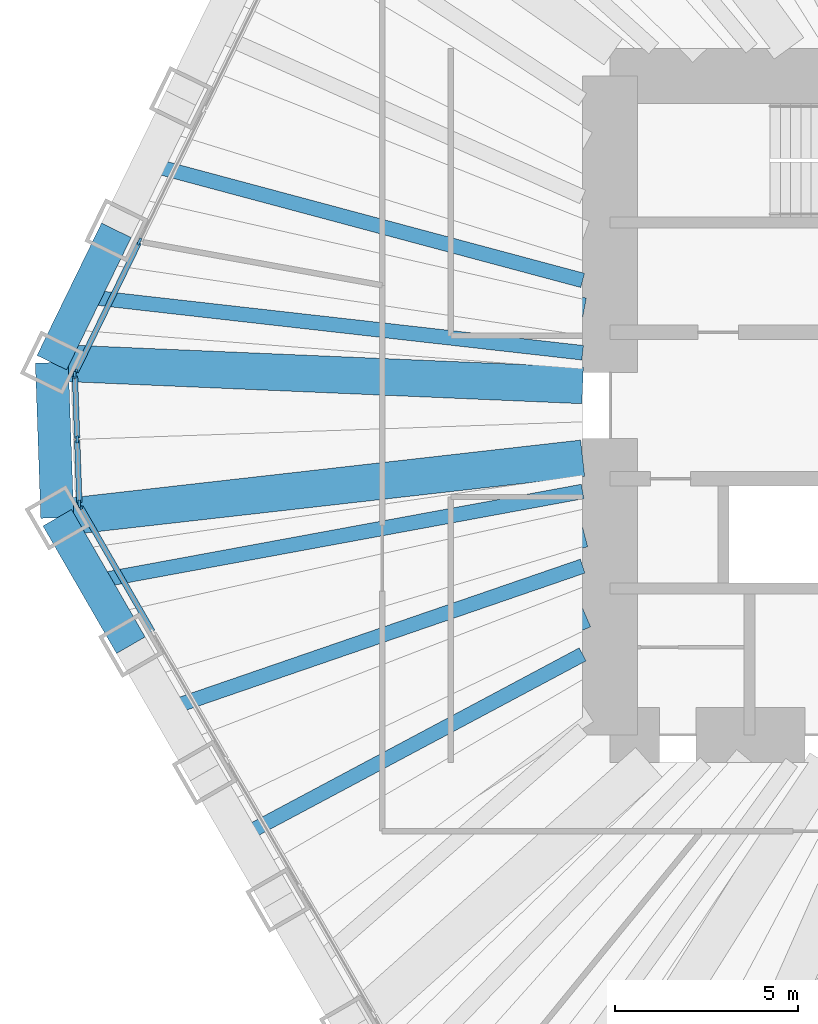
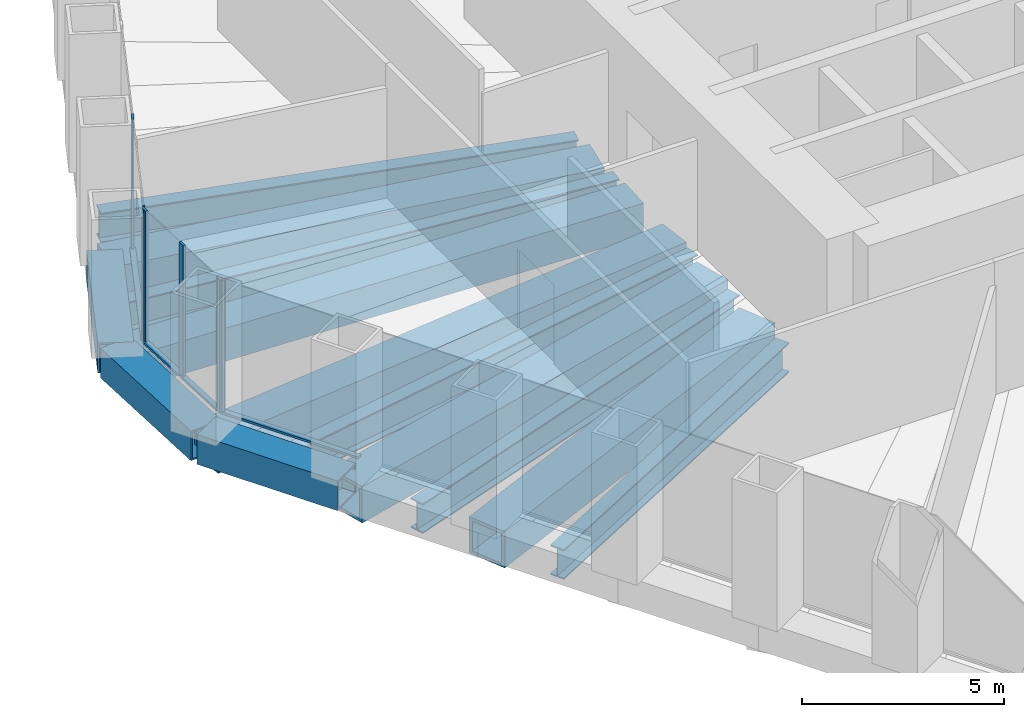
# One storey, part 3 of 12: 13 beams, 10 members, 3 elements without a shape of their own.
"""IFC4 building model written with IfcOpenShell, lengths in metres."""

from ifc_helpers import new_model, si_unit, direction, frame, origin, origin_2d, place, context, subcontext, project, spatial, rectangle, hollow_rectangle, i_section, extrude, material, material_profile, profile_set, type_object, element, aggregate, save


model = new_model("IFC4")

# Units and contexts
model_context = context("Model", 3, precision=1e-05, world=origin(), true_north=direction((0.0, 1.0)))
body_context = subcontext(model_context, "Body", "Model", "MODEL_VIEW")
ifc_project = project(units=[si_unit("LENGTHUNIT", "METRE"), si_unit("AREAUNIT", "SQUARE_METRE"), si_unit("VOLUMEUNIT", "CUBIC_METRE"), si_unit("PLANEANGLEUNIT", "RADIAN"), si_unit("MASSUNIT", "GRAM", prefix="KILO")], contexts=[model_context])

# Site, building, storey
site_placement = place(None, origin())
site = spatial("IfcSite", under=ifc_project, at=site_placement, CompositionType="ELEMENT")
building_placement = place(site_placement, origin())
building = spatial("IfcBuilding", under=site, at=building_placement, Name="Qingtian Harvest Tower", CompositionType="ELEMENT")
storey_placement = place(building_placement, frame((0.0, 0.0, 107.199951171875)))
storey = spatial("IfcBuildingStorey", under=building, at=storey_placement, Name="L21", CompositionType="ELEMENT", Elevation=107.199951171875)

# Beams
ifc_material_1 = material(Name="Steel SN490B", Category="steel")
ifc_material_profile_1 = material_profile(ifc_material_1, i_section(OverallWidth=0.39990234375, OverallDepth=0.89990234375, WebThickness=0.01904296875, FlangeThickness=0.035888671875, at=origin_2d()), Name="H900x400x19x36")
ifc_profile_set_1 = profile_set([ifc_material_profile_1], Name="Steel SN490B")
beam_type_1 = type_object("IfcBeamType", Name="Floor joist J4 H900x400x19x36", PredefinedType="JOIST", material=ifc_profile_set_1)
beam_1_placement = place(storey_placement, frame((-22.0732421875, -11.76806640625, -0.619873046875), z_axis=(0.882429048443, 0.47044550637, 0.0), x_axis=(-0.47044550637, 0.882429048443, 0.0)))
element("IfcBeam", 1, at=beam_1_placement, inside=storey, type_object=beam_type_1, Name="Floor joist J4 SW3", PredefinedType="JOIST", context=body_context, shape_type="SweptSolid", body=[
    extrude(i_section(OverallWidth=0.39990234375, OverallDepth=0.89990234375, WebThickness=0.01904296875, FlangeThickness=0.035888671875, at=origin_2d()), origin(), (0.0, 0.0, 1.0), 10.5654296875),
])
beam_2_placement = place(storey_placement, frame((-24.082763671875, -8.28759765625, -0.619873046875), z_axis=(0.945577150072, 0.325397992099, 0.0), x_axis=(-0.325397992099, 0.945577150072, 0.0)))
element("IfcBeam", 2, at=beam_2_placement, inside=storey, type_object=beam_type_1, Name="Floor joist J4 SW4", PredefinedType="JOIST", context=body_context, shape_type="SweptSolid", body=[
    extrude(i_section(OverallWidth=0.39990234375, OverallDepth=0.89990234375, WebThickness=0.01904296875, FlangeThickness=0.035888671875, at=origin_2d()), origin(), (0.0, 0.0, 1.0), 11.985107421875),
])
beam_3_placement = place(storey_placement, frame((-26.09228515625, -4.806884765625, -0.619873046875), z_axis=(0.983450319804, 0.181178002192, 0.0), x_axis=(-0.181178002192, 0.983450319804, 0.0)))
element("IfcBeam", 3, at=beam_3_placement, inside=storey, type_object=beam_type_1, Name="Floor joist J4 SW5", PredefinedType="JOIST", context=body_context, shape_type="SweptSolid", body=[
    extrude(i_section(OverallWidth=0.39990234375, OverallDepth=0.89990234375, WebThickness=0.01904296875, FlangeThickness=0.035888671875, at=origin_2d()), origin(), (0.0, 0.0, 1.0), 13.56689453125),
])
beam_4_placement = place(storey_placement, frame((-26.364013671875, 2.97509765625, -0.619873046875), z_axis=(0.993692330348, -0.112140771387, 0.0), x_axis=(0.112140771387, 0.993692330348, 0.0)))
element("IfcBeam", 4, at=beam_4_placement, inside=storey, type_object=beam_type_1, Name="Floor joist J4 NW0", PredefinedType="JOIST", context=body_context, shape_type="SweptSolid", body=[
    extrude(i_section(OverallWidth=0.39990234375, OverallDepth=0.89990234375, WebThickness=0.01904296875, FlangeThickness=0.035888671875, at=origin_2d()), origin(), (0.0, 0.0, 1.0), 13.700439453125),
])
beam_5_placement = place(storey_placement, frame((-24.60205078125, 6.58740234375, -0.619873046875), z_axis=(0.965969893862, -0.258654526641, 0.0), x_axis=(0.258654526641, 0.965969893862, 0.0)))
element("IfcBeam", 5, at=beam_5_placement, inside=storey, type_object=beam_type_1, Name="Floor joist J4 NW1", PredefinedType="JOIST", context=body_context, shape_type="SweptSolid", body=[
    extrude(i_section(OverallWidth=0.39990234375, OverallDepth=0.89990234375, WebThickness=0.01904296875, FlangeThickness=0.035888671875, at=origin_2d()), origin(), (0.0, 0.0, 1.0), 12.26953125),
])

# Curtain wall, member
ifc_material_2 = material(Name="Bronze-anodised aluminium curtain wall", Category="aluminium")
curtain_wall_type = type_object("IfcCurtainWallType", Name="Curtain wall CW4 office", PredefinedType="USERDEFINED", material=ifc_material_2)
curtain_wall_1_placement = place(storey_placement, origin())
curtain_wall_1 = element("IfcCurtainWall", 6, at=curtain_wall_1_placement, inside=storey, type_object=curtain_wall_type, Name="Curtain wall CW4 L21 SW0-5", ObjectType="RECESSED CURTAIN WALL", PredefinedType="USERDEFINED")
ifc_material_3 = material(Name="Bronze-anodised aluminium mullion", Category="aluminium")
ifc_material_profile_2 = material_profile(ifc_material_3, rectangle(XDim=0.06494140625, YDim=0.199951171875, at=origin_2d()), Name="AL 65x200")
ifc_profile_set_2 = profile_set([ifc_material_profile_2], Name="Bronze-anodised aluminium mullion")
member_type_1 = type_object("IfcMemberType", Name="Mullion CWM 65x200", PredefinedType="MULLION", material=ifc_profile_set_2)
member_1_placement = place(storey_placement, frame((-26.474609375, -2.744873046875, 0.0), z_axis=(0.0, 0.0, 1.0), x_axis=(-0.866025403784, -0.5, 0.0)))
member_1 = element("IfcMember", 7, at=member_1_placement, type_object=member_type_1, Name="CW4 mullion 7", PredefinedType="MULLION", context=body_context, shape_type="SweptSolid", body=[
    extrude(rectangle(XDim=0.06494140625, YDim=0.199951171875, at=origin_2d()), origin(), (0.0, 0.0, 1.0), 4.030029296875),
])

# Curtain wall, members
curtain_wall_2_placement = place(storey_placement, origin())
curtain_wall_2 = element("IfcCurtainWall", 8, at=curtain_wall_2_placement, inside=storey, type_object=curtain_wall_type, Name="Curtain wall CW4 L21 SWC", ObjectType="RECESSED CURTAIN WALL", PredefinedType="USERDEFINED")
member_2_placement = place(storey_placement, frame((-26.491943359375, -2.68408203125, 0.0), z_axis=(0.0, 0.0, 1.0), x_axis=(-0.999390827019, -0.034899496703, 0.0)))
member_2 = element("IfcMember", 9, at=member_2_placement, type_object=member_type_1, Name="CW4 mullion 1", PredefinedType="MULLION", context=body_context, shape_type="SweptSolid", body=[
    extrude(rectangle(XDim=0.06494140625, YDim=0.199951171875, at=origin_2d()), origin(), (0.0, 0.0, 1.0), 4.030029296875),
])
member_3_placement = place(storey_placement, frame((-26.55322265625, -0.92724609375, 0.0), z_axis=(0.0, 0.0, 1.0), x_axis=(-0.999390827019, -0.034899496703, 0.0)))
member_3 = element("IfcMember", 10, at=member_3_placement, type_object=member_type_1, Name="CW4 mullion 2", PredefinedType="MULLION", context=body_context, shape_type="SweptSolid", body=[
    extrude(rectangle(XDim=0.06494140625, YDim=0.199951171875, at=origin_2d()), origin(), (0.0, 0.0, 1.0), 4.030029296875),
])
member_4_placement = place(storey_placement, frame((-26.614501953125, 0.82958984375, 0.0), z_axis=(0.0, 0.0, 1.0), x_axis=(-0.999390827019, -0.034899496703, 0.0)))
member_4 = element("IfcMember", 11, at=member_4_placement, type_object=member_type_1, Name="CW4 mullion 3", PredefinedType="MULLION", context=body_context, shape_type="SweptSolid", body=[
    extrude(rectangle(XDim=0.06494140625, YDim=0.199951171875, at=origin_2d()), origin(), (0.0, 0.0, 1.0), 4.030029296875),
])

curtain_wall_3_placement = place(storey_placement, origin())
curtain_wall_3 = element("IfcCurtainWall", 12, at=curtain_wall_3_placement, inside=storey, type_object=curtain_wall_type, Name="Curtain wall CW4 L21 NW0-5", ObjectType="RECESSED CURTAIN WALL", PredefinedType="USERDEFINED")
member_5_placement = place(storey_placement, frame((-26.6015625, 0.891357421875, 0.0), z_axis=(0.0, 0.0, 1.0), x_axis=(-0.898794046299, 0.438371146789, 0.0)))
member_5 = element("IfcMember", 13, at=member_5_placement, type_object=member_type_1, Name="CW4 mullion 1", PredefinedType="MULLION", context=body_context, shape_type="SweptSolid", body=[
    extrude(rectangle(XDim=0.06494140625, YDim=0.199951171875, at=origin_2d()), origin(), (0.0, 0.0, 1.0), 4.030029296875),
])
member_6_placement = place(storey_placement, frame((-24.85400390625, 4.474365234375, 0.0), z_axis=(0.0, 0.0, 1.0), x_axis=(-0.898794046299, 0.438371146789, 0.0)))
member_6 = element("IfcMember", 14, at=member_6_placement, type_object=member_type_1, Name="CW4 mullion 2", PredefinedType="MULLION", context=body_context, shape_type="SweptSolid", body=[
    extrude(rectangle(XDim=0.06494140625, YDim=0.199951171875, at=origin_2d()), origin(), (0.0, 0.0, 1.0), 4.030029296875),
])

# Beams
ifc_material_4 = material(Name="Steel SM570MC", Category="steel")
ifc_material_profile_3 = material_profile(ifc_material_4, hollow_rectangle(XDim=1.0, YDim=1.0, WallThickness=0.080078125, at=origin_2d()), Name="BOX1000x1000x80")
ifc_profile_set_3 = profile_set([ifc_material_profile_3], Name="Steel SM570MC")
beam_type_2 = type_object("IfcBeamType", Name="Transfer corner beam FB11 BOX1000x1000x80", PredefinedType="BEAM", material=ifc_profile_set_3)
beam_6_placement = place(storey_placement, frame((-27.096923828125, -3.066650390625, -0.669921875), z_axis=(0.993656070393, 0.112461610213, 0.0), x_axis=(-0.112461610213, 0.993656070393, 0.0)))
element("IfcBeam", 15, at=beam_6_placement, inside=storey, type_object=beam_type_2, Name="Floor beam FB11 SW6", PredefinedType="BEAM", context=body_context, shape_type="SweptSolid", body=[
    extrude(hollow_rectangle(XDim=1.0, YDim=1.0, WallThickness=0.080078125, at=origin_2d()), origin(), (0.0, 0.0, 1.0), 14.4384765625),
])
beam_7_placement = place(storey_placement, frame((-27.244873046875, 1.1689453125, -0.669921875), z_axis=(0.999081074678, -0.042860310542, 0.0), x_axis=(0.042860310542, 0.999081074678, 0.0)))
element("IfcBeam", 16, at=beam_7_placement, inside=storey, type_object=beam_type_2, Name="Floor beam FB11 NW0", PredefinedType="BEAM", context=body_context, shape_type="SweptSolid", body=[
    extrude(hollow_rectangle(XDim=1.0, YDim=1.0, WallThickness=0.080078125, at=origin_2d()), origin(), (0.0, 0.0, 1.0), 14.50830078125),
])
ifc_material_5 = material(Name="Steel SM570MC", Category="steel")
ifc_material_profile_4 = material_profile(ifc_material_5, hollow_rectangle(XDim=1.10009765625, YDim=1.10009765625, WallThickness=0.10009765625, at=origin_2d()), Name="BOX1100x1100x100")
ifc_profile_set_4 = profile_set([ifc_material_profile_4], Name="Steel SM570MC")
beam_type_3 = type_object("IfcBeamType", Name="Transfer floor beam FB9 BOX1100x1100x100", PredefinedType="BEAM", material=ifc_profile_set_4)
beam_8_placement = place(storey_placement, frame((-23.077880859375, -10.02783203125, -0.719970703125), z_axis=(0.917154138631, 0.398532666154, 0.0), x_axis=(-0.398532666154, 0.917154138631, 0.0)))
element("IfcBeam", 17, at=beam_8_placement, inside=storey, type_object=beam_type_3, Name="Floor beam FB9 SW4", PredefinedType="BEAM", context=body_context, shape_type="SweptSolid", body=[
    extrude(hollow_rectangle(XDim=1.10009765625, YDim=1.10009765625, WallThickness=0.10009765625, at=origin_2d()), origin(), (0.0, 0.0, 1.0), 11.2607421875),
])
beam_9_placement = place(storey_placement, frame((-25.08740234375, -6.547119140625, -0.719970703125), z_axis=(0.967592867696, 0.252515429991, 0.0), x_axis=(-0.252515429991, 0.967592867696, 0.0)))
element("IfcBeam", 18, at=beam_9_placement, inside=storey, type_object=beam_type_3, Name="Floor beam FB9 SW5", PredefinedType="BEAM", context=body_context, shape_type="SweptSolid", body=[
    extrude(hollow_rectangle(XDim=1.10009765625, YDim=1.10009765625, WallThickness=0.10009765625, at=origin_2d()), origin(), (0.0, 0.0, 1.0), 12.750732421875),
])
beam_10_placement = place(storey_placement, frame((-25.483154296875, 4.78125, -0.719970703125), z_axis=(0.982851913913, -0.184396625015, 0.0), x_axis=(0.184396625015, 0.982851913913, 0.0)))
element("IfcBeam", 19, at=beam_10_placement, inside=storey, type_object=beam_type_3, Name="Floor beam FB9 NW1", PredefinedType="BEAM", context=body_context, shape_type="SweptSolid", body=[
    extrude(hollow_rectangle(XDim=1.10009765625, YDim=1.10009765625, WallThickness=0.10009765625, at=origin_2d()), origin(), (0.0, 0.0, 1.0), 12.955322265625),
])
ifc_material_6 = material(Name="Steel SM570MC", Category="steel")
ifc_material_profile_5 = material_profile(ifc_material_6, hollow_rectangle(XDim=0.89990234375, YDim=0.89990234375, WallThickness=0.050048828125, at=origin_2d()), Name="BOX900x900x50")
ifc_profile_set_5 = profile_set([ifc_material_profile_5], Name="Steel SM570MC")
beam_type_4 = type_object("IfcBeamType", Name="Transition spandrel SB6 BOX900x900x50", PredefinedType="SPANDREL", material=ifc_profile_set_5)
beam_11_placement = place(storey_placement, frame((-25.08740234375, -6.547119140625, -0.449951171875), z_axis=(-0.500013420409, 0.866017655369, 0.0), x_axis=(-0.866017655369, -0.500013420409, 0.0)))
element("IfcBeam", 20, at=beam_11_placement, inside=storey, type_object=beam_type_4, Name="Spandrel SB6 SW5", PredefinedType="SPANDREL", context=body_context, shape_type="SweptSolid", body=[
    extrude(hollow_rectangle(XDim=0.89990234375, YDim=0.89990234375, WallThickness=0.050048828125, at=origin_2d()), origin(), (0.0, 0.0, 1.0), 4.01904296875),
])
beam_12_placement = place(storey_placement, frame((-27.096923828125, -3.066650390625, -0.449951171875), z_axis=(-0.034908677553, 0.999390506375, 0.0), x_axis=(-0.999390506375, -0.034908677553, 0.0)))
element("IfcBeam", 21, at=beam_12_placement, inside=storey, type_object=beam_type_4, Name="Spandrel SB6 SWC", PredefinedType="SPANDREL", context=body_context, shape_type="SweptSolid", body=[
    extrude(hollow_rectangle(XDim=0.89990234375, YDim=0.89990234375, WallThickness=0.050048828125, at=origin_2d()), origin(), (0.0, 0.0, 1.0), 4.23828125),
])
beam_13_placement = place(storey_placement, frame((-27.244873046875, 1.1689453125, -0.449951171875), z_axis=(0.438347033158, 0.898805806902, 0.0), x_axis=(-0.898805806902, 0.438347033158, 0.0)))
element("IfcBeam", 22, at=beam_13_placement, inside=storey, type_object=beam_type_4, Name="Spandrel SB6 NW0", PredefinedType="SPANDREL", context=body_context, shape_type="SweptSolid", body=[
    extrude(hollow_rectangle(XDim=0.89990234375, YDim=0.89990234375, WallThickness=0.050048828125, at=origin_2d()), origin(), (0.0, 0.0, 1.0), 4.01904296875),
])

# Member
ifc_material_7 = material(Name="Bronze-anodised aluminium transom", Category="aluminium")
ifc_material_profile_6 = material_profile(ifc_material_7, rectangle(XDim=0.14990234375, YDim=0.06494140625, at=origin_2d()), Name="AL 65x150")
ifc_profile_set_6 = profile_set([ifc_material_profile_6], Name="Bronze-anodised aluminium transom")
member_type_2 = type_object("IfcMemberType", Name="Transom CWT 65x150", PredefinedType="USERDEFINED", material=ifc_profile_set_6)
member_7_placement = place(storey_placement, frame((-24.49755859375, -6.169189453125, 0.032470703125), z_axis=(-0.499975738995, 0.866039410429, 0.0), x_axis=(-0.866039410429, -0.499975738995, 0.0)))
member_7 = element("IfcMember", 23, at=member_7_placement, type_object=member_type_2, Name="CW4 transom 6.1", ObjectType="TRANSOM", PredefinedType="USERDEFINED", context=body_context, shape_type="SweptSolid", body=[
    extrude(rectangle(XDim=0.14990234375, YDim=0.06494140625, at=origin_2d()), origin(), (0.0, 0.0, 1.0), 3.921630859375),
])

aggregate(curtain_wall_1, [member_1, member_7])

member_8_placement = place(storey_placement, frame((-26.4931640625, -2.651611328125, 0.032470703125), z_axis=(-0.034899362377, 0.99939083171, 0.0), x_axis=(-0.99939083171, -0.034899362377, 0.0)))
member_8 = element("IfcMember", 24, at=member_8_placement, type_object=member_type_2, Name="CW4 transom 1.1", ObjectType="TRANSOM", PredefinedType="USERDEFINED", context=body_context, shape_type="SweptSolid", body=[
    extrude(rectangle(XDim=0.14990234375, YDim=0.06494140625, at=origin_2d()), origin(), (0.0, 0.0, 1.0), 1.69287109375),
])

member_9_placement = place(storey_placement, frame((-26.554443359375, -0.894775390625, 0.032470703125), z_axis=(-0.034899362377, 0.99939083171, 0.0), x_axis=(-0.99939083171, -0.034899362377, 0.0)))
member_9 = element("IfcMember", 25, at=member_9_placement, type_object=member_type_2, Name="CW4 transom 2.1", ObjectType="TRANSOM", PredefinedType="USERDEFINED", context=body_context, shape_type="SweptSolid", body=[
    extrude(rectangle(XDim=0.14990234375, YDim=0.06494140625, at=origin_2d()), origin(), (0.0, 0.0, 1.0), 1.69287109375),
])

aggregate(curtain_wall_2, [member_2, member_3, member_4, member_8, member_9])

member_10_placement = place(storey_placement, frame((-26.587158203125, 0.92041015625, 0.032470703125), z_axis=(0.438326734225, 0.898815706396, 0.0), x_axis=(-0.898815706396, 0.438326734225, 0.0)))
member_10 = element("IfcMember", 26, at=member_10_placement, type_object=member_type_2, Name="CW4 transom 1.1", ObjectType="TRANSOM", PredefinedType="USERDEFINED", context=body_context, shape_type="SweptSolid", body=[
    extrude(rectangle(XDim=0.14990234375, YDim=0.06494140625, at=origin_2d()), origin(), (0.0, 0.0, 1.0), 3.921630859375),
])

aggregate(curtain_wall_3, [member_5, member_6, member_10])

save(model, "model.ifc")
